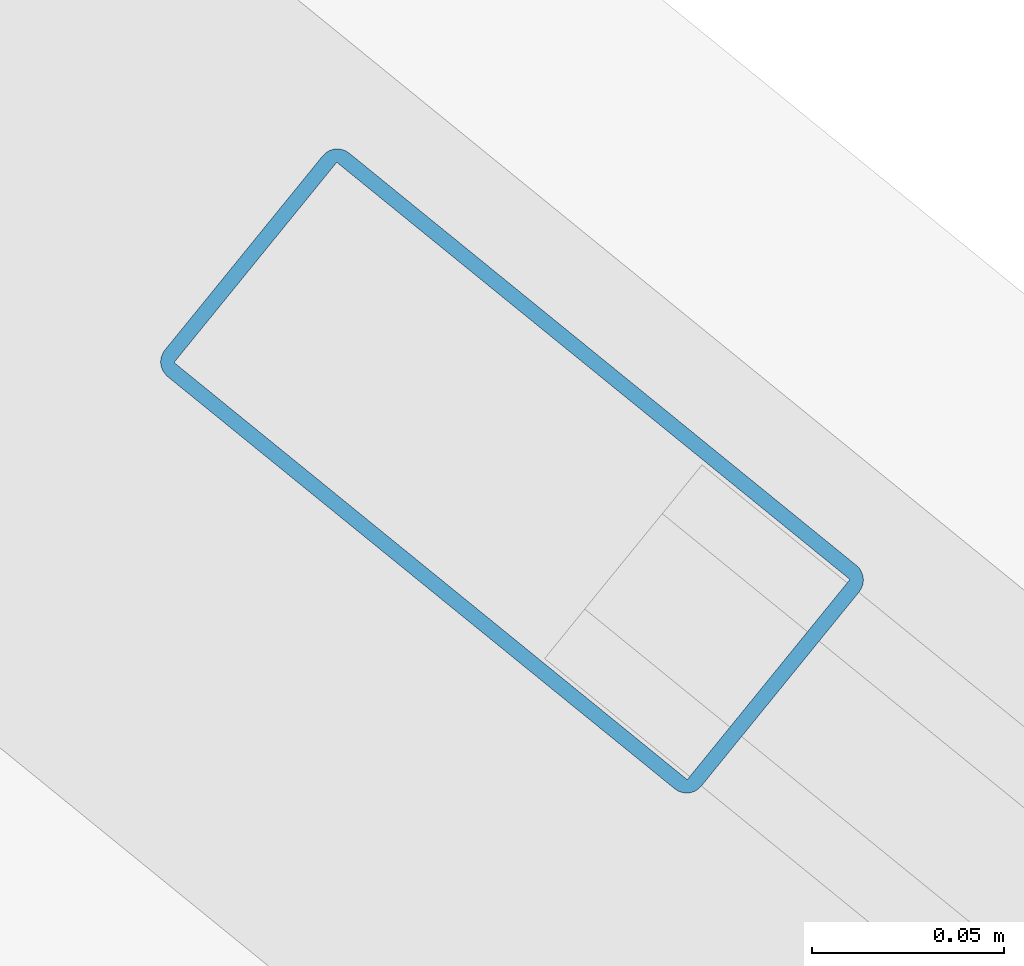
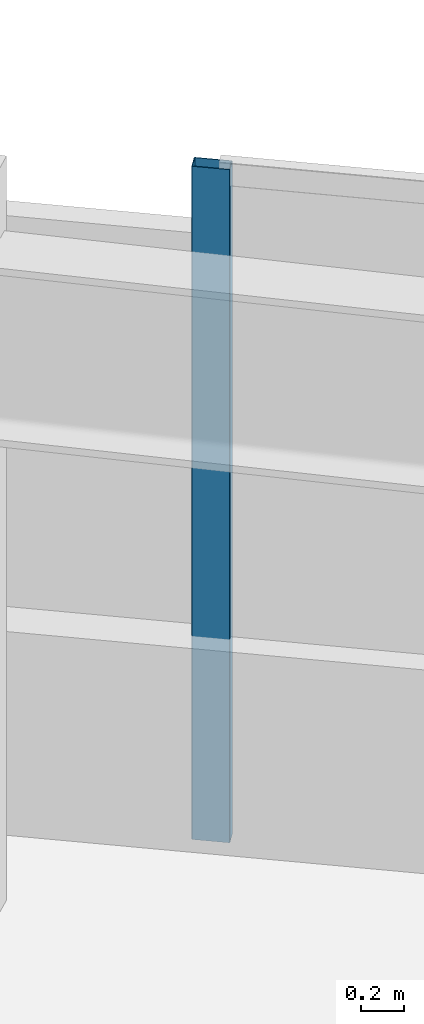
# One storey, part 2 of 18: 1 member, 1 element without a shape of its own.
"""IFC4 building model written with IfcOpenShell, lengths in metres."""

from ifc_helpers import new_model, si_unit, direction, frame, origin, origin_2d, place, context, subcontext, project, spatial, hollow_rectangle, extrude, material, material_profile, profile_set, type_object, element, aggregate, save


model = new_model("IFC4")

# Units and contexts
model_context = context("Model", 3, precision=1e-05, world=origin(), true_north=direction((0.0, 1.0)))
body_context = subcontext(model_context, "Body", "Model", "MODEL_VIEW")
ifc_project = project(units=[si_unit("LENGTHUNIT", "METRE"), si_unit("AREAUNIT", "SQUARE_METRE"), si_unit("VOLUMEUNIT", "CUBIC_METRE"), si_unit("PLANEANGLEUNIT", "RADIAN"), si_unit("MASSUNIT", "GRAM", prefix="KILO")], contexts=[model_context])

# Site, building, storey
site_placement = place(None, origin())
site = spatial("IfcSite", under=ifc_project, at=site_placement, CompositionType="ELEMENT")
building_placement = place(site_placement, origin())
building = spatial("IfcBuilding", under=site, at=building_placement, Name="Narakoshi Arena Tower", CompositionType="ELEMENT")
storey_placement = place(building_placement, frame((0.0, 0.0, 59.10009765625)))
storey = spatial("IfcBuildingStorey", under=building, at=storey_placement, Name="L15", CompositionType="ELEMENT", Elevation=59.10009765625)

# Curtain wall, member
ifc_material = material(Name="Anodised bronze aluminium 6063-T6", Category="aluminium")
curtain_wall_type = type_object("IfcCurtainWallType", Name="CW-HYP-LOW", PredefinedType="NOTDEFINED", material=ifc_material)
curtain_wall_placement = place(storey_placement, origin())
curtain_wall = element("IfcCurtainWall", 1, at=curtain_wall_placement, inside=storey, type_object=curtain_wall_type, Name="L15 Folded Hypotenuse Curtain Wall 2-1", PredefinedType="NOTDEFINED")
ifc_material_profile = material_profile(ifc_material, hollow_rectangle(XDim=0.074951171875, YDim=0.179931640625, WallThickness=0.00390625, OuterFilletRadius=0.0048828125, at=origin_2d()), Name="MUL180x75x4")
ifc_profile_set = profile_set([ifc_material_profile], Name="Anodised bronze aluminium 6063-T6")
member_type = type_object("IfcMemberType", Name="MEM-MUL-180", PredefinedType="MULLION", material=ifc_profile_set)
member_placement = place(storey_placement, frame((90.85498046875, 61.220703125, 0.0), z_axis=(0.0, 0.0, 1.0), x_axis=(-0.630732461203, -0.776000362361, 0.0)))
member = element("IfcMember", 2, at=member_placement, type_object=member_type, Name="CW-01 mullion 2", PredefinedType="MULLION", context=body_context, shape_type="SweptSolid", body=[
    extrude(hollow_rectangle(XDim=0.074951171875, YDim=0.179931640625, WallThickness=0.00390625, OuterFilletRadius=0.0048828125, at=origin_2d()), origin(), (0.0, 0.0, 1.0), 3.7998046875),
])
aggregate(curtain_wall, [member])

save(model, "model.ifc")
